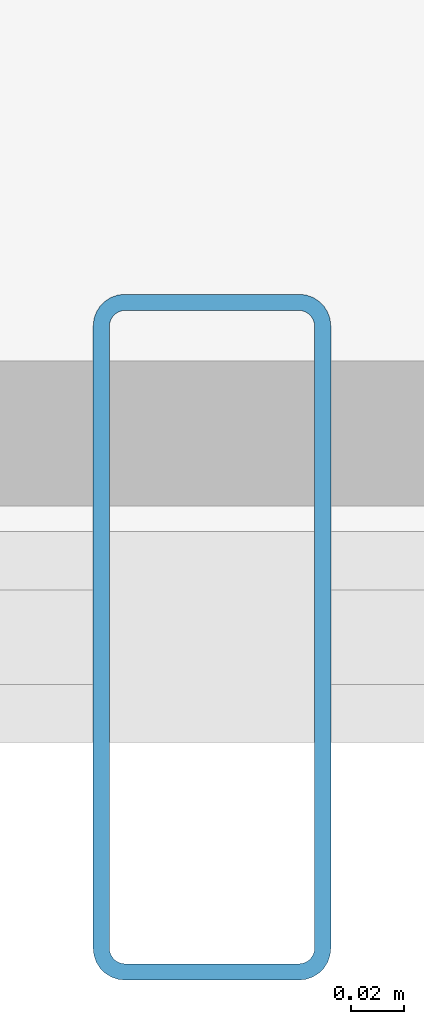
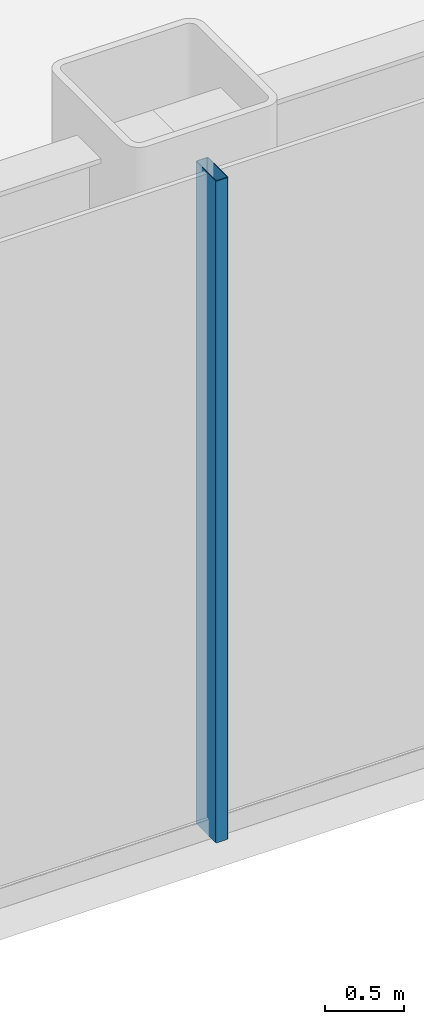
# One storey, part 6 of 24: 1 member, 1 element without a shape of its own.
"""IFC4 building model written with IfcOpenShell, lengths in metres."""

from ifc_helpers import new_model, si_unit, direction, frame, origin, origin_2d, place, context, subcontext, project, spatial, hollow_rectangle, extrude, source, transform, mapped, material, layer, layer_set, material_profile, profile_set, type_object, element, aggregate, save


model = new_model("IFC4")

# Units and contexts
model_context = context("Model", 3, precision=1e-05, world=origin(), true_north=direction((0.0, 1.0)))
body_context = subcontext(model_context, "Body", "Model", "MODEL_VIEW")
ifc_project = project(units=[si_unit("LENGTHUNIT", "METRE"), si_unit("AREAUNIT", "SQUARE_METRE"), si_unit("VOLUMEUNIT", "CUBIC_METRE"), si_unit("PLANEANGLEUNIT", "RADIAN"), si_unit("MASSUNIT", "GRAM", prefix="KILO")], contexts=[model_context])

# Site, building, storey
site_placement = place(None, origin())
site = spatial("IfcSite", under=ifc_project, at=site_placement, CompositionType="ELEMENT")
building_placement = place(site_placement, origin())
building = spatial("IfcBuilding", under=site, at=building_placement, Name="Nefas-Gora Pilgrimage Tower", CompositionType="ELEMENT")
storey_placement = place(building_placement, frame((0.0, 0.0, 11.39990234375)))
storey = spatial("IfcBuildingStorey", under=building, at=storey_placement, Name="L02", CompositionType="ELEMENT", Elevation=11.39990234375)

# Curtain wall, member
ifc_material_1 = material(Name="Dark ceramic-fritted solar-control aluminium-glass curtain wall", Category="aluminium")
ifc_layer = layer(ifc_material_1, 0.219970703125)
ifc_layer_set = layer_set([ifc_layer], Name="Dark ceramic-fritted solar-control aluminium-glass curtain wall")
curtain_wall_type = type_object("IfcCurtainWallType", Name="CW-SYS-1", PredefinedType="NOTDEFINED", material=ifc_layer_set)
curtain_wall_placement = place(storey_placement, origin())
curtain_wall = element("IfcCurtainWall", 1, at=curtain_wall_placement, inside=storey, type_object=curtain_wall_type, Name="L02 Unitised Curtain Wall CW1", PredefinedType="NOTDEFINED")
ifc_material_2 = material(Name="Anodised architectural aluminium", Category="aluminium")
ifc_material_profile = material_profile(ifc_material_2, hollow_rectangle(XDim=0.090087890625, YDim=0.260009765625, WallThickness=0.006103515625, InnerFilletRadius=0.006103515625, OuterFilletRadius=0.011962890625, at=origin_2d()), Name="ALU MULLION 90x260")
ifc_profile_set = profile_set([ifc_material_profile], Name="Anodised architectural aluminium")
member_type = type_object("IfcMemberType", Name="CWM-MUL-1", PredefinedType="MULLION", material=ifc_profile_set)
shared_shape = source(origin(), body_context, "Body", "SweptSolid", [
    extrude(hollow_rectangle(XDim=0.090087890625, YDim=0.260009765625, WallThickness=0.006103515625, InnerFilletRadius=0.006103515625, OuterFilletRadius=0.011962890625, at=origin_2d()), origin(), (0.0, 0.0, 1.0), 5.10009765625),
])
member_placement = place(storey_placement, frame((0.0, -25.199951171875, 0.0), z_axis=(0.0, 0.0, 1.0), x_axis=(1.0, 0.0, 0.0)))
member = element("IfcMember", 2, at=member_placement, type_object=member_type, Name="CW1 Mullion 2", PredefinedType="MULLION", context=body_context, shape_type="MappedRepresentation", body=[
    mapped(shared_shape, transform((0.0, 0.0, 0.0), x_axis=(1.0, 0.0, 0.0), y_axis=(0.0, 1.0, 0.0), z_axis=(0.0, 0.0, 1.0), scale=1.0)),
])
aggregate(curtain_wall, [member])

save(model, "model.ifc")
